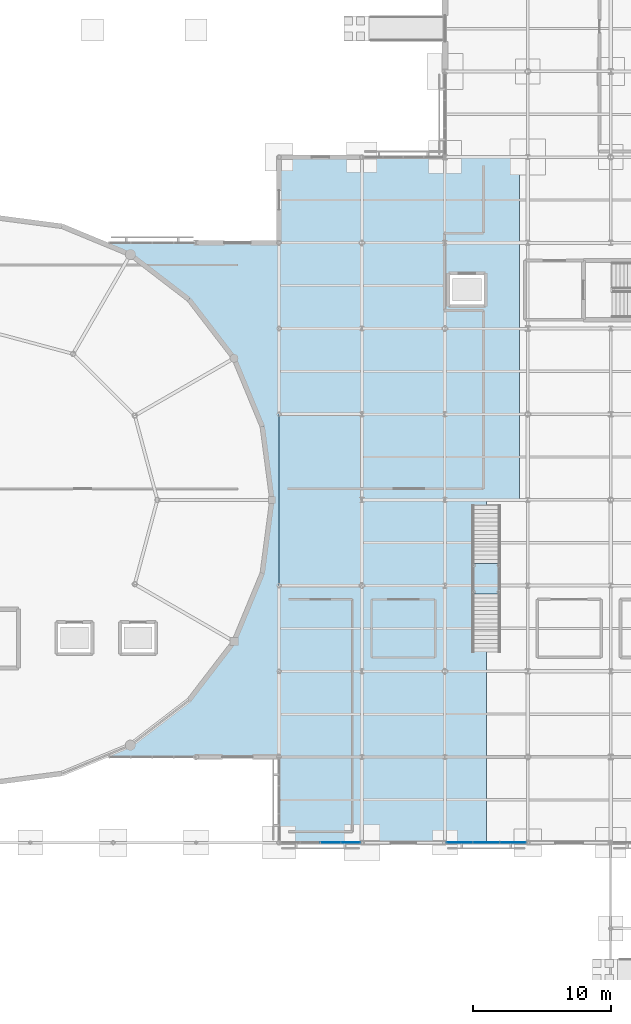
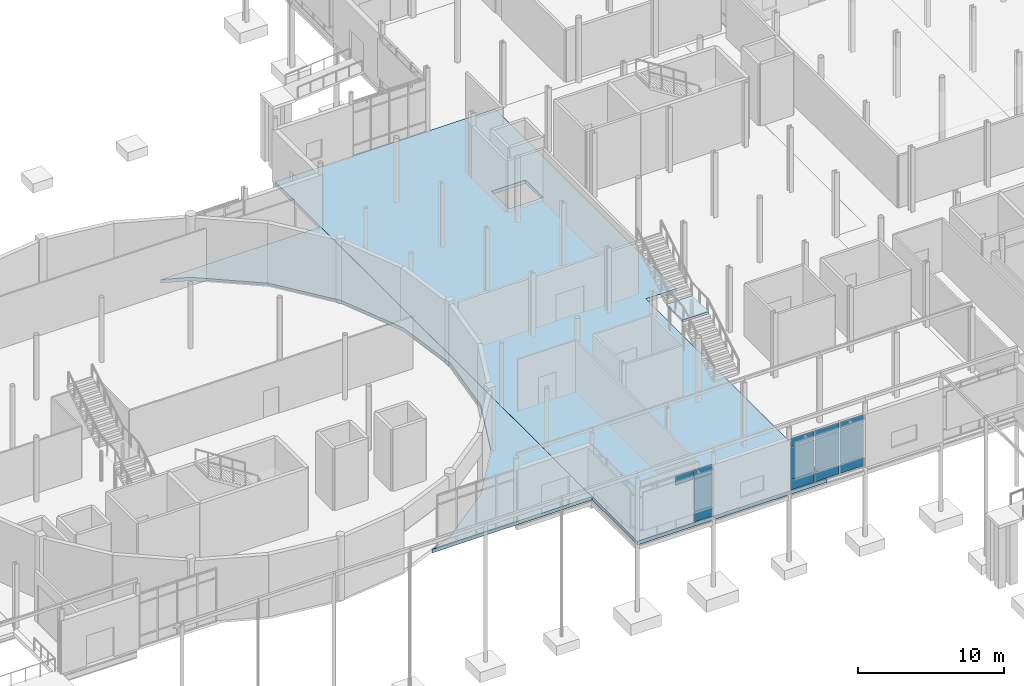
# One storey, part 61 of 98: 13 plates, 3 slabs, 3 elements without a shape of their own.
"""IFC4 building model written with IfcOpenShell, lengths in metres."""

from ifc_helpers import new_model, si_unit, direction, frame, origin, origin_2d, place, context, subcontext, project, spatial, polyline, rectangle, outline, extrude, material, layer, layer_set, type_object, element, aggregate, save


model = new_model("IFC4")

# Units and contexts
model_context = context("Model", 3, precision=1e-05, world=origin(), true_north=direction((0.0, 1.0)))
body_context = subcontext(model_context, "Body", "Model", "MODEL_VIEW")
ifc_project = project(units=[si_unit("LENGTHUNIT", "METRE"), si_unit("AREAUNIT", "SQUARE_METRE"), si_unit("VOLUMEUNIT", "CUBIC_METRE"), si_unit("PLANEANGLEUNIT", "RADIAN"), si_unit("MASSUNIT", "GRAM", prefix="KILO")], contexts=[model_context])

# Site, building, storey
site_placement = place(None, origin())
site = spatial("IfcSite", under=ifc_project, at=site_placement, CompositionType="ELEMENT")
building_placement = place(site_placement, origin())
building = spatial("IfcBuilding", under=site, at=building_placement, Name="Mirzam Square Science Centre", CompositionType="ELEMENT")
storey_placement = place(building_placement, origin())
storey = spatial("IfcBuildingStorey", under=building, at=storey_placement, Name="L00", CompositionType="ELEMENT", Elevation=0.0)

# Curtain wall, plates
ifc_material_1 = material(Name="Anodised Aluminium and Low-E Solar Glass", Category="aluminium")
ifc_layer_1 = layer(ifc_material_1, 0.159912109375)
ifc_layer_set_1 = layer_set([ifc_layer_1], Name="CW-COURT-B")
curtain_wall_type_1 = type_object("IfcCurtainWallType", Name="CW-COURT-B", PredefinedType="USERDEFINED", material=ifc_layer_set_1)
curtain_wall_1_placement = place(storey_placement, origin())
curtain_wall_1 = element("IfcCurtainWall", 1, at=curtain_wall_1_placement, inside=storey, type_object=curtain_wall_type_1, Name="L00 unitised curtain wall 64", ObjectType="UNITISED CURTAIN WALL", PredefinedType="USERDEFINED")
ifc_material_2 = material(Name="Ceramic-Fritted Courtyard Solar Glass", Category="glass")
ifc_layer_2 = layer(ifc_material_2, 0.02392578125)
ifc_layer_set_2 = layer_set([ifc_layer_2], Name="CWP-GLZ-24")
plate_type_1 = type_object("IfcPlateType", Name="CWP-GLZ-24", PredefinedType="CURTAIN_PANEL", material=ifc_layer_set_2)
plate_1_placement = place(storey_placement, frame((105.736328125, 37.199951171875, 3.669921875), z_axis=(0.0, 0.0, 1.0), x_axis=(1.0, 0.0, 0.0)))
plate_1 = element("IfcPlate", 2, at=plate_1_placement, type_object=plate_type_1, Name="CW-04 panel 3.3", PredefinedType="CURTAIN_PANEL", context=body_context, shape_type="SweptSolid", body=[
    extrude(rectangle(XDim=1.41259765625, YDim=0.02392578125, at=origin_2d()), origin(), (0.0, 0.0, 1.0), 0.7099609375),
])
plate_2_placement = place(storey_placement, frame((107.19384765625, 37.199951171875, 0.06005859375), z_axis=(0.0, 0.0, 1.0), x_axis=(1.0, 0.0, 0.0)))
plate_2 = element("IfcPlate", 3, at=plate_2_placement, type_object=plate_type_1, Name="CW-04 panel 4.1", PredefinedType="CURTAIN_PANEL", context=body_context, shape_type="SweptSolid", body=[
    extrude(rectangle(XDim=1.382568359375, YDim=0.02392578125, at=origin_2d()), origin(), (0.0, 0.0, 1.0), 0.81005859375),
])
plate_3_placement = place(storey_placement, frame((107.19384765625, 37.199951171875, 0.93017578125), z_axis=(0.0, 0.0, 1.0), x_axis=(1.0, 0.0, 0.0)))
plate_3 = element("IfcPlate", 4, at=plate_3_placement, type_object=plate_type_1, Name="CW-04 panel 4.2", PredefinedType="CURTAIN_PANEL", context=body_context, shape_type="SweptSolid", body=[
    extrude(rectangle(XDim=1.382568359375, YDim=0.02392578125, at=origin_2d()), origin(), (0.0, 0.0, 1.0), 2.679931640625),
])
plate_4_placement = place(storey_placement, frame((107.19384765625, 37.199951171875, 3.669921875), z_axis=(0.0, 0.0, 1.0), x_axis=(1.0, 0.0, 0.0)))
plate_4 = element("IfcPlate", 5, at=plate_4_placement, type_object=plate_type_1, Name="CW-04 panel 4.3", PredefinedType="CURTAIN_PANEL", context=body_context, shape_type="SweptSolid", body=[
    extrude(rectangle(XDim=1.382568359375, YDim=0.02392578125, at=origin_2d()), origin(), (0.0, 0.0, 1.0), 0.7099609375),
])
aggregate(curtain_wall_1, [plate_1, plate_2, plate_3, plate_4])

ifc_layer_3 = layer(ifc_material_1, 0.239990234375)
ifc_layer_set_3 = layer_set([ifc_layer_3], Name="CW-EAST-B")
curtain_wall_type_2 = type_object("IfcCurtainWallType", Name="CW-EAST-B", PredefinedType="USERDEFINED", material=ifc_layer_set_3)
curtain_wall_2_placement = place(storey_placement, origin())
curtain_wall_2 = element("IfcCurtainWall", 6, at=curtain_wall_2_placement, inside=storey, type_object=curtain_wall_type_2, Name="L00 unitised curtain wall 65", ObjectType="UNITISED CURTAIN WALL", PredefinedType="USERDEFINED")
ifc_material_3 = material(Name="Double-Silver Low-E Insulated Solar Glass", Category="glass")
ifc_layer_4 = layer(ifc_material_3, 0.028076171875)
ifc_layer_set_4 = layer_set([ifc_layer_4], Name="CWP-GLZ-28")
plate_type_2 = type_object("IfcPlateType", Name="CWP-GLZ-28", PredefinedType="CURTAIN_PANEL", material=ifc_layer_set_4)
plate_5_placement = place(storey_placement, frame((115.055419921875, 37.199951171875, 0.074951171875), z_axis=(0.0, 0.0, 1.0), x_axis=(1.0, 0.0, 0.0)))
plate_5 = element("IfcPlate", 7, at=plate_5_placement, type_object=plate_type_2, Name="CW-06 panel 1.1", PredefinedType="CURTAIN_PANEL", context=body_context, shape_type="SweptSolid", body=[
    extrude(rectangle(XDim=1.850830078125, YDim=0.028076171875, at=origin_2d()), origin(), (0.0, 0.0, 1.0), 0.78759765625),
])
plate_6_placement = place(storey_placement, frame((115.055419921875, 37.199951171875, 0.9375), z_axis=(0.0, 0.0, 1.0), x_axis=(1.0, 0.0, 0.0)))
plate_6 = element("IfcPlate", 8, at=plate_6_placement, type_object=plate_type_2, Name="CW-06 panel 1.2", PredefinedType="CURTAIN_PANEL", context=body_context, shape_type="SweptSolid", body=[
    extrude(rectangle(XDim=1.850830078125, YDim=0.028076171875, at=origin_2d()), origin(), (0.0, 0.0, 1.0), 2.6650390625),
])
plate_7_placement = place(storey_placement, frame((115.055419921875, 37.199951171875, 3.677490234375), z_axis=(0.0, 0.0, 1.0), x_axis=(1.0, 0.0, 0.0)))
plate_7 = element("IfcPlate", 9, at=plate_7_placement, type_object=plate_type_2, Name="CW-06 panel 1.3", PredefinedType="CURTAIN_PANEL", context=body_context, shape_type="SweptSolid", body=[
    extrude(rectangle(XDim=1.850830078125, YDim=0.028076171875, at=origin_2d()), origin(), (0.0, 0.0, 1.0), 0.6875),
])
plate_8_placement = place(storey_placement, frame((117.0, 37.199951171875, 0.074951171875), z_axis=(0.0, 0.0, 1.0), x_axis=(1.0, 0.0, 0.0)))
plate_8 = element("IfcPlate", 10, at=plate_8_placement, type_object=plate_type_2, Name="CW-06 panel 2.1", PredefinedType="CURTAIN_PANEL", context=body_context, shape_type="SweptSolid", body=[
    extrude(rectangle(XDim=1.888427734375, YDim=0.028076171875, at=origin_2d()), origin(), (0.0, 0.0, 1.0), 0.78759765625),
])
plate_9_placement = place(storey_placement, frame((117.0, 37.199951171875, 0.9375), z_axis=(0.0, 0.0, 1.0), x_axis=(1.0, 0.0, 0.0)))
plate_9 = element("IfcPlate", 11, at=plate_9_placement, type_object=plate_type_2, Name="CW-06 panel 2.2", PredefinedType="CURTAIN_PANEL", context=body_context, shape_type="SweptSolid", body=[
    extrude(rectangle(XDim=1.888427734375, YDim=0.028076171875, at=origin_2d()), origin(), (0.0, 0.0, 1.0), 2.6650390625),
])
plate_10_placement = place(storey_placement, frame((117.0, 37.199951171875, 3.677490234375), z_axis=(0.0, 0.0, 1.0), x_axis=(1.0, 0.0, 0.0)))
plate_10 = element("IfcPlate", 12, at=plate_10_placement, type_object=plate_type_2, Name="CW-06 panel 2.3", PredefinedType="CURTAIN_PANEL", context=body_context, shape_type="SweptSolid", body=[
    extrude(rectangle(XDim=1.888427734375, YDim=0.028076171875, at=origin_2d()), origin(), (0.0, 0.0, 1.0), 0.6875),
])
plate_11_placement = place(storey_placement, frame((118.944580078125, 37.199951171875, 0.074951171875), z_axis=(0.0, 0.0, 1.0), x_axis=(1.0, 0.0, 0.0)))
plate_11 = element("IfcPlate", 13, at=plate_11_placement, type_object=plate_type_2, Name="CW-06 panel 3.1", PredefinedType="CURTAIN_PANEL", context=body_context, shape_type="SweptSolid", body=[
    extrude(rectangle(XDim=1.850830078125, YDim=0.028076171875, at=origin_2d()), origin(), (0.0, 0.0, 1.0), 0.78759765625),
])
plate_12_placement = place(storey_placement, frame((118.944580078125, 37.199951171875, 0.9375), z_axis=(0.0, 0.0, 1.0), x_axis=(1.0, 0.0, 0.0)))
plate_12 = element("IfcPlate", 14, at=plate_12_placement, type_object=plate_type_2, Name="CW-06 panel 3.2", PredefinedType="CURTAIN_PANEL", context=body_context, shape_type="SweptSolid", body=[
    extrude(rectangle(XDim=1.850830078125, YDim=0.028076171875, at=origin_2d()), origin(), (0.0, 0.0, 1.0), 2.6650390625),
])
plate_13_placement = place(storey_placement, frame((118.944580078125, 37.199951171875, 3.677490234375), z_axis=(0.0, 0.0, 1.0), x_axis=(1.0, 0.0, 0.0)))
plate_13 = element("IfcPlate", 15, at=plate_13_placement, type_object=plate_type_2, Name="CW-06 panel 3.3", PredefinedType="CURTAIN_PANEL", context=body_context, shape_type="SweptSolid", body=[
    extrude(rectangle(XDim=1.850830078125, YDim=0.028076171875, at=origin_2d()), origin(), (0.0, 0.0, 1.0), 0.6875),
])
aggregate(curtain_wall_2, [plate_5, plate_6, plate_7, plate_8, plate_9, plate_10, plate_11, plate_12, plate_13])

# Slabs
ifc_material_4 = material(Name="Concrete C45/55", Category="concrete")
ifc_layer_5 = layer(ifc_material_4, 0.2900390625)
ifc_layer_set_5 = layer_set([ifc_layer_5], Name="SL-GND-290")
slab_type_1 = type_object("IfcSlabType", Name="SL-GND-290", PredefinedType="FLOOR", material=ifc_layer_set_5)
slab_1_placement = place(storey_placement, frame((0.0, 0.0, -0.2900390625)))
element("IfcSlab", 16, at=slab_1_placement, inside=storey, type_object=slab_type_1, Name="L00 drum link slab", PredefinedType="FLOOR", context=body_context, shape_type="SweptSolid", body=[
    extrude(outline(polyline([(89.36181640625, 43.39990234375), (91.280029296875, 44.194580078125), (95.5380859375, 47.4619140625), (98.805419921875, 51.719970703125), (100.859375, 56.6787109375), (101.56005859375, 62.0), (100.859375, 67.3212890625), (98.805419921875, 72.280029296875), (95.5380859375, 76.5380859375), (91.280029296875, 79.805419921875), (89.36181640625, 80.60009765625), (102.0, 80.60009765625), (102.0, 43.39990234375), (89.36181640625, 43.39990234375)])), origin(), (0.0, 0.0, 1.0), 0.2900390625),
])
ifc_layer_6 = layer(ifc_material_4, 0.300048828125)
ifc_layer_set_6 = layer_set([ifc_layer_6], Name="SL-GND-300")
slab_type_2 = type_object("IfcSlabType", Name="SL-GND-300", PredefinedType="FLOOR", material=ifc_layer_set_6)
slab_2_placement = place(storey_placement, frame((0.0, 0.0, -0.300048828125)))
element("IfcSlab", 17, at=slab_2_placement, inside=storey, type_object=slab_type_2, Name="L00 east 1 slab", PredefinedType="FLOOR", context=body_context, shape_type="SweptSolid", body=[
    extrude(outline(polyline([(102.0, 86.800048828125), (119.39990234375, 86.800048828125), (119.39990234375, 62.0), (117.0, 62.0), (117.0, 37.199951171875), (102.0, 37.199951171875), (102.0, 43.39501953125), (102.0048828125, 80.60498046875), (102.0, 86.800048828125)]), holes=[polyline([(116.949951171875, 78.39990234375), (114.25, 78.39990234375), (114.25, 76.0), (116.949951171875, 76.0), (116.949951171875, 78.39990234375)])]), origin(), (0.0, 0.0, 1.0), 0.300048828125),
])

# Stair, slab
ifc_material_5 = material(Name="Steel S355 and Honed Limestone Tread Stair", Category="masonry")
stair_type = type_object("IfcStairType", Name="ST-FEAT-10", PredefinedType="STRAIGHT_RUN_STAIR", material=ifc_material_5)
stair_placement = place(storey_placement, origin())
stair = element("IfcStair", 18, at=stair_placement, inside=storey, type_object=stair_type, Name="L00 feature gallery stair ST-10", PredefinedType="STRAIGHT_RUN_STAIR")
ifc_material_6 = material(Name="Concrete C40/50", Category="concrete")
ifc_layer_7 = layer(ifc_material_6, 0.199951171875)
ifc_layer_set_7 = layer_set([ifc_layer_7], Name="SL-LANDING-200")
slab_type_3 = type_object("IfcSlabType", Name="SL-LANDING-200", PredefinedType="LANDING", material=ifc_layer_set_7)
slab_3_placement = place(storey_placement, frame((0.0, 0.0, 2.5)))
slab_3 = element("IfcSlab", 19, at=slab_3_placement, type_object=slab_type_3, Name="ST-10 landing 1", PredefinedType="LANDING", context=body_context, shape_type="SweptSolid", body=[
    extrude(outline(polyline([(115.97509765625, 55.199951171875), (118.02490234375, 55.199951171875), (118.02490234375, 57.39990234375), (115.97509765625, 57.39990234375), (115.97509765625, 55.199951171875)])), origin(), (0.0, 0.0, 1.0), 0.199951171875),
])
aggregate(stair, [slab_3])

save(model, "model.ifc")
